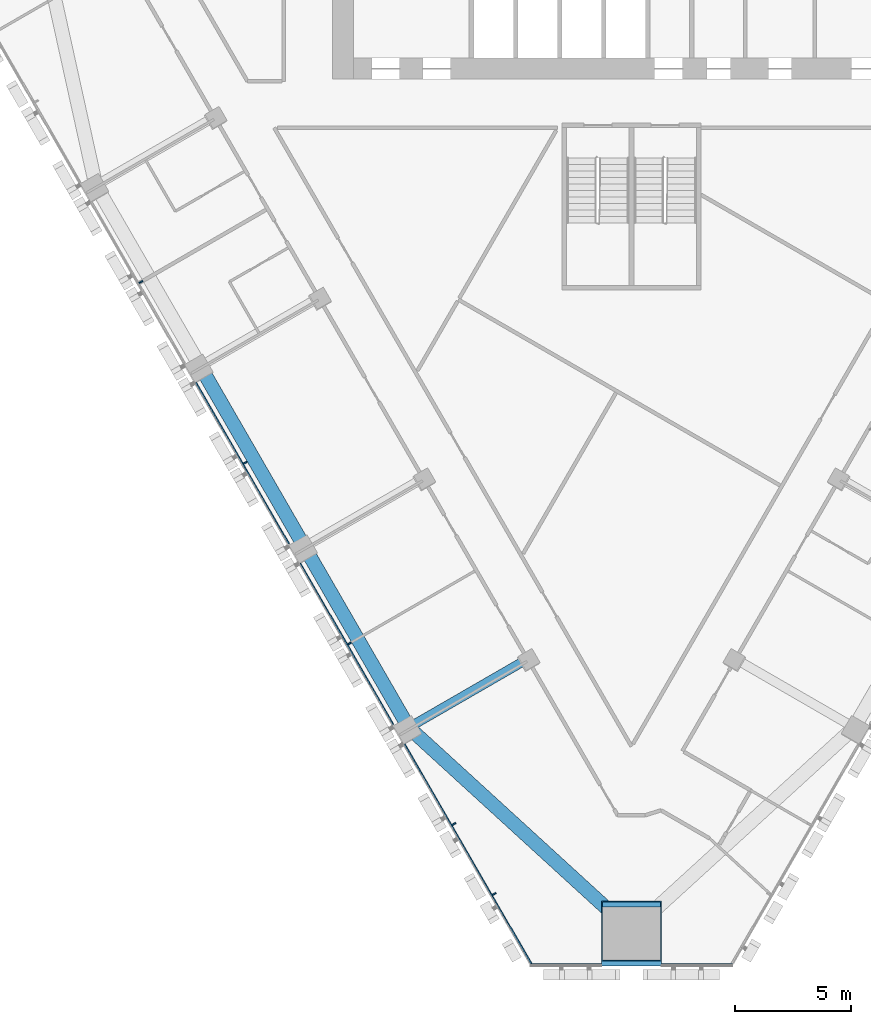
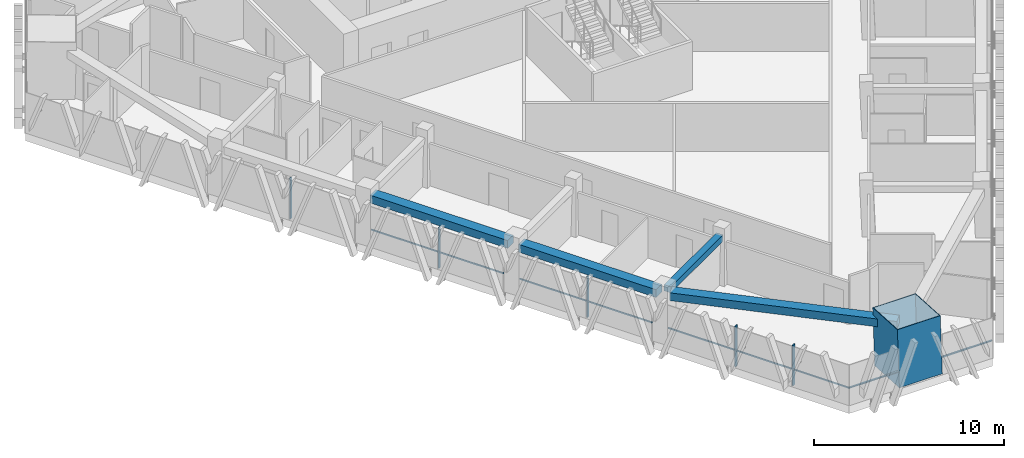
# One storey, part 2 of 16: 11 members, 4 beams, 2 elements without a shape of their own.
"""IFC4 building model written with IfcOpenShell, lengths in metres."""

from ifc_helpers import new_model, si_unit, direction, frame, origin, origin_2d, place, context, subcontext, project, spatial, rectangle, hollow_rectangle, extrude, material, layer, layer_set, material_profile, profile_set, type_object, element, aggregate, save


model = new_model("IFC4")

# Units and contexts
model_context = context("Model", 3, precision=1e-05, world=origin(), true_north=direction((0.0, 1.0)))
body_context = subcontext(model_context, "Body", "Model", "MODEL_VIEW")
ifc_project = project(units=[si_unit("LENGTHUNIT", "METRE"), si_unit("AREAUNIT", "SQUARE_METRE"), si_unit("VOLUMEUNIT", "CUBIC_METRE"), si_unit("PLANEANGLEUNIT", "RADIAN"), si_unit("MASSUNIT", "GRAM", prefix="KILO")], contexts=[model_context])

# Site, building, storey
site_placement = place(None, origin())
site = spatial("IfcSite", under=ifc_project, at=site_placement, CompositionType="ELEMENT")
building_placement = place(site_placement, origin())
building = spatial("IfcBuilding", under=site, at=building_placement, Name="Altiplano Prism Tower", CompositionType="ELEMENT")
storey_placement = place(building_placement, frame((0.0, 0.0, 88.199951171875)))
storey = spatial("IfcBuildingStorey", under=building, at=storey_placement, Name="L22", CompositionType="ELEMENT", Elevation=88.199951171875)

# Curtain wall, members
ifc_material_1 = material(Name="Aluminium and glass", Category="aluminium")
ifc_layer = layer(ifc_material_1, 0.280029296875)
ifc_layer_set = layer_set([ifc_layer], Name="Aluminium and glass")
curtain_wall_type = type_object("IfcCurtainWallType", Name="CW1 typical co-living unitised curtain wall", PredefinedType="NOTDEFINED", material=ifc_layer_set)
curtain_wall_1_placement = place(storey_placement, origin())
curtain_wall_1 = element("IfcCurtainWall", 1, at=curtain_wall_1_placement, inside=storey, type_object=curtain_wall_type, Name="CW1 curtain wall south-west face L22", PredefinedType="NOTDEFINED")
ifc_material_2 = material(Name="Aluminium", Category="aluminium")
ifc_material_profile_1 = material_profile(ifc_material_2, rectangle(XDim=0.179931640625, YDim=0.06494140625, at=origin_2d()), Name="CW1 mullion 65 x 180")
ifc_profile_set_1 = profile_set([ifc_material_profile_1], Name="Aluminium")
member_type_1 = type_object("IfcMemberType", Name="CW1 mullion 65 x 180", PredefinedType="MULLION", material=ifc_profile_set_1)
member_1_placement = place(storey_placement, frame((63.837890625, 83.74462890625, 0.0), z_axis=(0.0, 0.0, 1.0), x_axis=(0.866025398243, 0.500000009598, 0.0)))
member_1 = element("IfcMember", 2, at=member_1_placement, type_object=member_type_1, Name="CW1 mullion", PredefinedType="MULLION", context=body_context, shape_type="SweptSolid", body=[
    extrude(rectangle(XDim=0.179931640625, YDim=0.06494140625, at=origin_2d()), origin(), (0.0, 0.0, 1.0), 2.60009765625),
])
member_2_placement = place(storey_placement, frame((68.337890625, 75.9501953125, 0.0), z_axis=(0.0, 0.0, 1.0), x_axis=(0.866025398243, 0.500000009598, 0.0)))
member_2 = element("IfcMember", 3, at=member_2_placement, type_object=member_type_1, Name="CW1 mullion", PredefinedType="MULLION", context=body_context, shape_type="SweptSolid", body=[
    extrude(rectangle(XDim=0.179931640625, YDim=0.06494140625, at=origin_2d()), origin(), (0.0, 0.0, 1.0), 2.60009765625),
])
member_3_placement = place(storey_placement, frame((72.837890625, 68.156005859375, 0.0), z_axis=(0.0, 0.0, 1.0), x_axis=(0.866025398243, 0.500000009598, 0.0)))
member_3 = element("IfcMember", 4, at=member_3_placement, type_object=member_type_1, Name="CW1 mullion", PredefinedType="MULLION", context=body_context, shape_type="SweptSolid", body=[
    extrude(rectangle(XDim=0.179931640625, YDim=0.06494140625, at=origin_2d()), origin(), (0.0, 0.0, 1.0), 2.60009765625),
])
member_4_placement = place(storey_placement, frame((77.337890625, 60.36181640625, 0.0), z_axis=(0.0, 0.0, 1.0), x_axis=(0.866025398243, 0.500000009598, 0.0)))
member_4 = element("IfcMember", 5, at=member_4_placement, type_object=member_type_1, Name="CW1 mullion", PredefinedType="MULLION", context=body_context, shape_type="SweptSolid", body=[
    extrude(rectangle(XDim=0.179931640625, YDim=0.06494140625, at=origin_2d()), origin(), (0.0, 0.0, 1.0), 2.60009765625),
])
member_5_placement = place(storey_placement, frame((79.078369140625, 57.34716796875, 0.0), z_axis=(0.0, 0.0, 1.0), x_axis=(0.866025398243, 0.500000009598, 0.0)))
member_5 = element("IfcMember", 6, at=member_5_placement, type_object=member_type_1, Name="CW1 mullion", PredefinedType="MULLION", context=body_context, shape_type="SweptSolid", body=[
    extrude(rectangle(XDim=0.179931640625, YDim=0.06494140625, at=origin_2d()), origin(), (0.0, 0.0, 1.0), 2.60009765625),
])
ifc_material_profile_2 = material_profile(ifc_material_2, rectangle(XDim=0.06005859375, YDim=0.080078125, at=origin_2d()), Name="CW1 transom 80 x 60")
ifc_profile_set_2 = profile_set([ifc_material_profile_2], Name="Aluminium")
member_type_2 = type_object("IfcMemberType", Name="CW1 transom 80 x 60", PredefinedType="USERDEFINED", material=ifc_profile_set_2)
member_6_placement = place(storey_placement, frame((66.209228515625, 79.39697265625, 1.10009765625), z_axis=(0.500012318566, -0.86601829154, 0.0), x_axis=(0.86601829154, 0.500012318566, 0.0)))
member_6 = element("IfcMember", 7, at=member_6_placement, type_object=member_type_2, Name="CW1 transom", ObjectType="TRANSOM", PredefinedType="USERDEFINED", context=body_context, shape_type="SweptSolid", body=[
    extrude(rectangle(XDim=0.06005859375, YDim=0.080078125, at=origin_2d()), origin(), (0.0, 0.0, 1.0), 8.019775390625),
])
member_7_placement = place(storey_placement, frame((70.709228515625, 71.602783203125, 1.10009765625), z_axis=(0.500012318566, -0.86601829154, 0.0), x_axis=(0.86601829154, 0.500012318566, 0.0)))
member_7 = element("IfcMember", 8, at=member_7_placement, type_object=member_type_2, Name="CW1 transom", ObjectType="TRANSOM", PredefinedType="USERDEFINED", context=body_context, shape_type="SweptSolid", body=[
    extrude(rectangle(XDim=0.06005859375, YDim=0.080078125, at=origin_2d()), origin(), (0.0, 0.0, 1.0), 8.019775390625),
])
member_8_placement = place(storey_placement, frame((75.209228515625, 63.80859375, 1.10009765625), z_axis=(0.5000045869, -0.86602275552, 0.0), x_axis=(0.86602275552, 0.5000045869, 0.0)))
member_8 = element("IfcMember", 9, at=member_8_placement, type_object=member_type_2, Name="CW1 transom", ObjectType="TRANSOM", PredefinedType="USERDEFINED", context=body_context, shape_type="SweptSolid", body=[
    extrude(rectangle(XDim=0.06005859375, YDim=0.080078125, at=origin_2d()), origin(), (0.0, 0.0, 1.0), 11.01123046875),
])
aggregate(curtain_wall_1, [member_1, member_2, member_6, member_3, member_7, member_4, member_5, member_8])

curtain_wall_2_placement = place(storey_placement, origin())
curtain_wall_2 = element("IfcCurtainWall", 10, at=curtain_wall_2_placement, inside=storey, type_object=curtain_wall_type, Name="CW1 curtain wall south chamfer L22", PredefinedType="NOTDEFINED")
member_9_placement = place(storey_placement, frame((80.654296875, 54.3076171875, 1.10009765625), z_axis=(1.0, 0.0, 0.0), x_axis=(0.0, 1.0, 0.0)))
member_9 = element("IfcMember", 11, at=member_9_placement, type_object=member_type_2, Name="CW1 transom", ObjectType="TRANSOM", PredefinedType="USERDEFINED", context=body_context, shape_type="SweptSolid", body=[
    extrude(rectangle(XDim=0.06005859375, YDim=0.080078125, at=origin_2d()), origin(), (0.0, 0.0, 1.0), 3.045654296875),
])
member_10_placement = place(storey_placement, frame((86.300048828125, 54.3076171875, 1.10009765625), z_axis=(1.0, 0.0, 0.0), x_axis=(0.0, 1.0, 0.0)))
member_10 = element("IfcMember", 12, at=member_10_placement, type_object=member_type_2, Name="CW1 transom", ObjectType="TRANSOM", PredefinedType="USERDEFINED", context=body_context, shape_type="SweptSolid", body=[
    extrude(rectangle(XDim=0.06005859375, YDim=0.080078125, at=origin_2d()), origin(), (0.0, 0.0, 1.0), 3.045654296875),
])
aggregate(curtain_wall_2, [member_9, member_10])

# Beams
ifc_material_3 = material(Name="Concrete C60/75", Category="concrete")
ifc_material_profile_3 = material_profile(ifc_material_3, rectangle(XDim=0.60009765625, YDim=0.5, at=origin_2d()), Name="Edge beam 600x500")
ifc_profile_set_3 = profile_set([ifc_material_profile_3], Name="Concrete C60/75")
beam_type_1 = type_object("IfcBeamType", Name="Edge beam 600x500", PredefinedType="SPANDREL", material=ifc_profile_set_3)
for number, where, z_axis, x_axis, name in (
    (13, (66.55810546875, 79.830078125, 2.85009765625), (0.499992746786, -0.866029591389, 0.0), (0.866029591389, 0.499992746786, 0.0), "Edge beam P12-P13 L23"),
    (14, (71.05810546875, 72.035888671875, 2.85009765625), (0.499992746786, -0.866029591389, 0.0), (0.866029591389, 0.499992746786, 0.0), "Edge beam P13-P14 L23"),
):
    element("IfcBeam", number, at=place(storey_placement, frame(where, z_axis=z_axis, x_axis=x_axis)), inside=storey, type_object=beam_type_1, Name=name, PredefinedType="SPANDREL", context=body_context, shape_type="SweptSolid", body=[
        extrude(rectangle(XDim=0.60009765625, YDim=0.5, at=origin_2d()), origin(), (0.0, 0.0, 1.0), 8.33984375),
    ])
beam_1_placement = place(storey_placement, frame((75.65283203125, 64.2900390625, 2.85009765625), z_axis=(0.738188083845, -0.674594954672, 0.0), x_axis=(0.674594954672, 0.738188083845, 0.0)))
element("IfcBeam", 15, at=beam_1_placement, inside=storey, type_object=beam_type_1, Name="Edge beam P14-M1 L23", PredefinedType="SPANDREL", context=body_context, shape_type="SweptSolid", body=[
    extrude(rectangle(XDim=0.60009765625, YDim=0.5, at=origin_2d()), origin(), (0.0, 0.0, 1.0), 12.212158203125),
])

# Member
ifc_material_4 = material(Name="Steel S460", Category="steel")
ifc_material_profile_4 = material_profile(ifc_material_4, hollow_rectangle(XDim=2.60009765625, YDim=2.60009765625, WallThickness=0.0400390625, at=origin_2d()), Name="Mega column tube 2600")
ifc_profile_set_4 = profile_set([ifc_material_profile_4], Name="Steel S460")
member_type_3 = type_object("IfcMemberType", Name="Mega column tube 2600", PredefinedType="POST", material=ifc_profile_set_4)
member_11_placement = place(storey_placement, frame((85.0, 55.53759765625, 0.0), z_axis=(0.0, 0.058356907999, 0.998295783467), x_axis=(-1.0, 0.0, 0.0)))
element("IfcMember", 16, at=member_11_placement, inside=storey, type_object=member_type_3, Name="Mega column tube M1 L22", PredefinedType="POST", context=body_context, shape_type="SweptSolid", body=[
    extrude(hollow_rectangle(XDim=2.60009765625, YDim=2.60009765625, WallThickness=0.0400390625, at=origin_2d()), origin(), (0.0, 0.0, 1.0), 3.606201171875),
])

# Beam
ifc_material_profile_5 = material_profile(ifc_material_3, rectangle(XDim=0.39990234375, YDim=0.39990234375, at=origin_2d()), Name="Tie beam 400x400")
ifc_profile_set_5 = profile_set([ifc_material_profile_5], Name="Concrete C60/75")
beam_type_2 = type_object("IfcBeamType", Name="Tie beam 400x400", PredefinedType="BEAM", material=ifc_profile_set_5)
beam_2_placement = place(storey_placement, frame((80.433349609375, 67.4375, 2.900146484375), z_axis=(-0.866023410697, -0.500003452112, 0.0), x_axis=(0.500003452112, -0.866023410697, 0.0)))
element("IfcBeam", 17, at=beam_2_placement, inside=storey, type_object=beam_type_2, Name="Tie beam I14 L23", PredefinedType="BEAM", context=body_context, shape_type="SweptSolid", body=[
    extrude(rectangle(XDim=0.39990234375, YDim=0.39990234375, at=origin_2d()), origin(), (0.0, 0.0, 1.0), 5.490234375),
])

save(model, "model.ifc")
